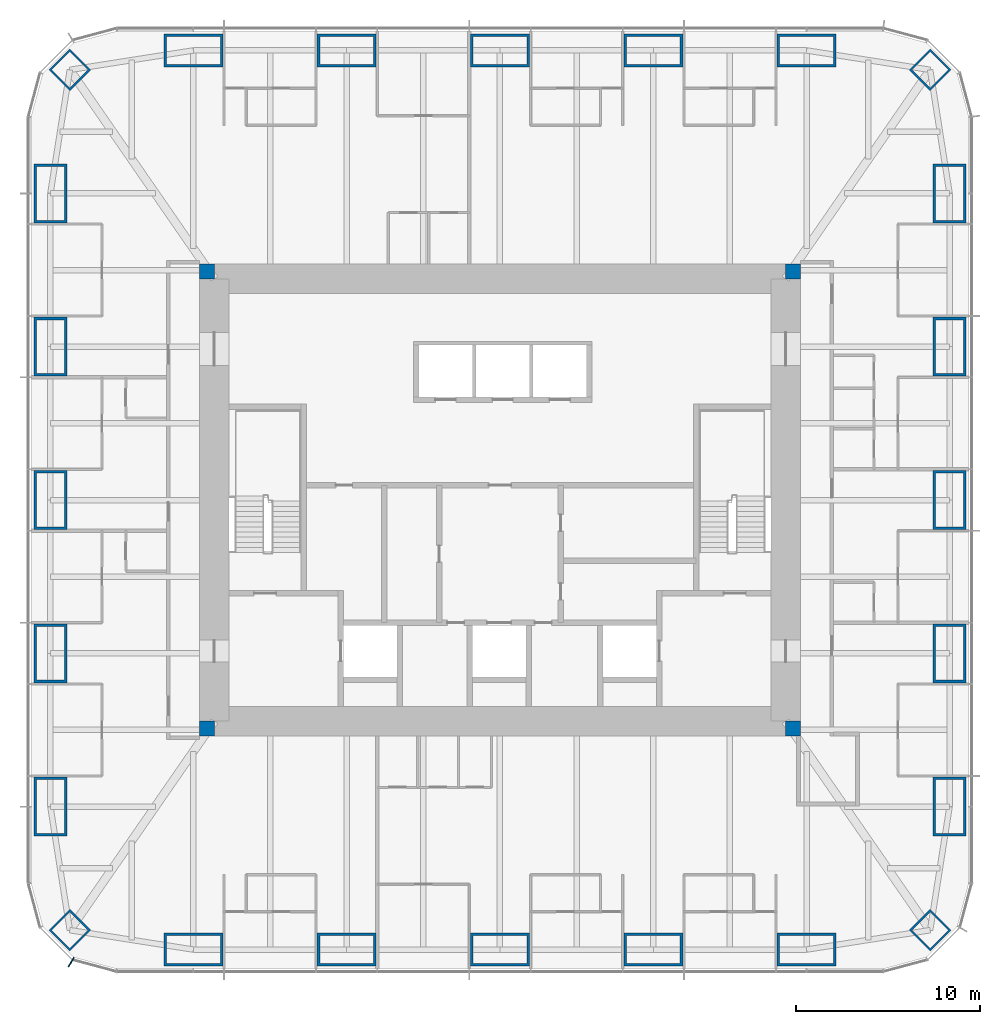
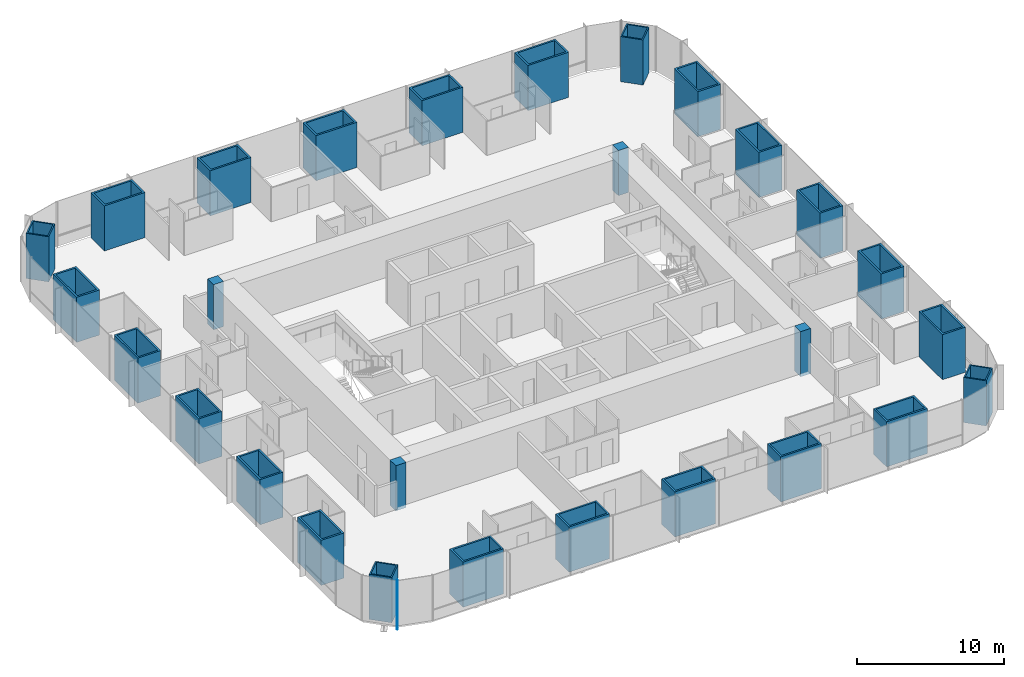
# One storey, part 1 of 13: 28 columns, 1 member, 1 element without a shape of its own.
"""IFC4 building model written with IfcOpenShell, lengths in metres."""

from ifc_helpers import new_model, si_unit, direction, frame, origin, origin_2d, place, context, subcontext, project, spatial, rectangle, hollow_rectangle, extrude, material, material_profile, profile_set, type_object, element, aggregate, save


model = new_model("IFC4")

# Units and contexts
model_context = context("Model", 3, precision=1e-05, world=origin(), true_north=direction((0.0, 1.0)))
body_context = subcontext(model_context, "Body", "Model", "MODEL_VIEW")
ifc_project = project(units=[si_unit("LENGTHUNIT", "METRE"), si_unit("AREAUNIT", "SQUARE_METRE"), si_unit("VOLUMEUNIT", "CUBIC_METRE"), si_unit("PLANEANGLEUNIT", "RADIAN"), si_unit("MASSUNIT", "GRAM", prefix="KILO")], contexts=[model_context])

# Site, building, storey
site_placement = place(None, origin())
site = spatial("IfcSite", under=ifc_project, at=site_placement, CompositionType="ELEMENT")
building_placement = place(site_placement, origin())
building = spatial("IfcBuilding", under=site, at=building_placement, Name="Khuree Lantern Residences", CompositionType="ELEMENT")
storey_placement = place(building_placement, frame((0.0, 0.0, 267.0)))
storey = spatial("IfcBuildingStorey", under=building, at=storey_placement, Name="L67", CompositionType="ELEMENT", Elevation=267.0)

# Columns
ifc_material_1 = material(Name="Steel S355 CFT welded box", Category="steel")
ifc_material_profile_1 = material_profile(ifc_material_1, hollow_rectangle(XDim=1.60009765625, YDim=1.60009765625, WallThickness=0.10009765625, at=origin_2d()), Name="WELDED BOX 1600X1600X100")
ifc_profile_set_1 = profile_set([ifc_material_profile_1], Name="Steel S355 CFT welded box")
column_type_1 = type_object("IfcColumnType", Name="CC1600 PERIMETER CORNER MEGA COLUMN WELDED BOX 1600X1600X100", PredefinedType="COLUMN", material=ifc_profile_set_1)
for number, where, z_axis, x_axis, name in (
    (1, (23.345703125, 23.345703125, 0.0), (0.0, 0.0, 1.0), (0.707106781187, -0.707106781187, 0.0), "Perimeter column NE"),
    (2, (23.345703125, -23.345703125, 0.0), (0.0, 0.0, 1.0), (0.707106781187, 0.707106781187, 0.0), "Perimeter column SE"),
    (3, (-23.345703125, -23.345703125, 0.0), (0.0, 0.0, 1.0), (0.707106781187, -0.707106781187, 0.0), "Perimeter column SW"),
    (4, (-23.345703125, 23.345703125, 0.0), (0.0, 0.0, 1.0), (0.707106781187, 0.707106781187, 0.0), "Perimeter column NW"),
):
    element("IfcColumn", number, at=place(storey_placement, frame(where, z_axis=z_axis, x_axis=x_axis)), inside=storey, type_object=column_type_1, Name=name, PredefinedType="COLUMN", context=body_context, shape_type="SweptSolid", body=[
        extrude(hollow_rectangle(XDim=1.60009765625, YDim=1.60009765625, WallThickness=0.10009765625, at=origin_2d()), origin(), (0.0, 0.0, 1.0), 3.75),
    ])
ifc_material_2 = material(Name="Concrete C50/60", Category="concrete")
ifc_material_profile_2 = material_profile(ifc_material_2, rectangle(XDim=0.800048828125, YDim=0.800048828125, at=origin_2d()), Name="RC 800X800")
ifc_profile_set_2 = profile_set([ifc_material_profile_2], Name="Concrete C50/60")
column_type_2 = type_object("IfcColumnType", Name="CP800-C50 CORE CORNER PIER C50 RC 800X800", PredefinedType="COLUMN", material=ifc_profile_set_2)
for number, where, z_axis, x_axis, name in (
    (5, (15.89990234375, 12.39990234375, -0.25), (0.0, 0.0, 1.0), (1.0, 0.0, 0.0), "Core corner pier NE"),
    (6, (-15.89990234375, 12.39990234375, -0.25), (0.0, 0.0, 1.0), (1.0, 0.0, 0.0), "Core corner pier NW"),
    (7, (-15.89990234375, -12.39990234375, -0.25), (0.0, 0.0, 1.0), (1.0, 0.0, 0.0), "Core corner pier SW"),
    (8, (15.89990234375, -12.39990234375, -0.25), (0.0, 0.0, 1.0), (1.0, 0.0, 0.0), "Core corner pier SE"),
):
    element("IfcColumn", number, at=place(storey_placement, frame(where, z_axis=z_axis, x_axis=x_axis)), inside=storey, type_object=column_type_2, Name=name, PredefinedType="COLUMN", context=body_context, shape_type="SweptSolid", body=[
        extrude(rectangle(XDim=0.800048828125, YDim=0.800048828125, at=origin_2d()), origin(), (0.0, 0.0, 1.0), 3.75),
    ])
ifc_material_profile_3 = material_profile(ifc_material_1, hollow_rectangle(XDim=3.199951171875, YDim=1.800048828125, WallThickness=0.139892578125, at=origin_2d()), Name="WELDED BOX 3200X1800X140")
ifc_profile_set_3 = profile_set([ifc_material_profile_3], Name="Steel S355 CFT welded box")
column_type_3 = type_object("IfcColumnType", Name="SC3 PERIMETER MEGA COLUMN WELDED BOX 3200X1800X140", PredefinedType="COLUMN", material=ifc_profile_set_3)
for number, where, z_axis, x_axis, name in (
    (9, (-16.639892578125, 24.39990234375, 0.0), (0.0, 0.0, 1.0), (1.0, 0.0, 0.0), "Perimeter column N1"),
    (10, (-8.320068359375, 24.39990234375, 0.0), (0.0, 0.0, 1.0), (1.0, 0.0, 0.0), "Perimeter column N2"),
    (11, (0.0, 24.39990234375, 0.0), (0.0, 0.0, 1.0), (1.0, 0.0, 0.0), "Perimeter column N3"),
    (12, (8.320068359375, 24.39990234375, 0.0), (0.0, 0.0, 1.0), (1.0, 0.0, 0.0), "Perimeter column N4"),
    (13, (16.639892578125, 24.39990234375, 0.0), (0.0, 0.0, 1.0), (1.0, 0.0, 0.0), "Perimeter column N5"),
    (14, (24.39990234375, 16.639892578125, 0.0), (0.0, 0.0, 1.0), (0.0, 1.0, 0.0), "Perimeter column E1"),
    (15, (24.39990234375, 8.320068359375, 0.0), (0.0, 0.0, 1.0), (0.0, 1.0, 0.0), "Perimeter column E2"),
    (16, (24.39990234375, 0.0, 0.0), (0.0, 0.0, 1.0), (0.0, 1.0, 0.0), "Perimeter column E3"),
    (17, (24.39990234375, -8.320068359375, 0.0), (0.0, 0.0, 1.0), (0.0, 1.0, 0.0), "Perimeter column E4"),
    (18, (24.39990234375, -16.639892578125, 0.0), (0.0, 0.0, 1.0), (0.0, 1.0, 0.0), "Perimeter column E5"),
    (19, (16.639892578125, -24.39990234375, 0.0), (0.0, 0.0, 1.0), (1.0, 0.0, 0.0), "Perimeter column S1"),
    (20, (8.320068359375, -24.39990234375, 0.0), (0.0, 0.0, 1.0), (1.0, 0.0, 0.0), "Perimeter column S2"),
    (21, (0.0, -24.39990234375, 0.0), (0.0, 0.0, 1.0), (1.0, 0.0, 0.0), "Perimeter column S3"),
    (22, (-8.320068359375, -24.39990234375, 0.0), (0.0, 0.0, 1.0), (1.0, 0.0, 0.0), "Perimeter column S4"),
    (23, (-16.639892578125, -24.39990234375, 0.0), (0.0, 0.0, 1.0), (1.0, 0.0, 0.0), "Perimeter column S5"),
    (24, (-24.39990234375, -16.639892578125, 0.0), (0.0, 0.0, 1.0), (0.0, 1.0, 0.0), "Perimeter column W1"),
    (25, (-24.39990234375, -8.320068359375, 0.0), (0.0, 0.0, 1.0), (0.0, 1.0, 0.0), "Perimeter column W2"),
    (26, (-24.39990234375, 0.0, 0.0), (0.0, 0.0, 1.0), (0.0, 1.0, 0.0), "Perimeter column W3"),
    (27, (-24.39990234375, 8.320068359375, 0.0), (0.0, 0.0, 1.0), (0.0, 1.0, 0.0), "Perimeter column W4"),
    (28, (-24.39990234375, 16.639892578125, 0.0), (0.0, 0.0, 1.0), (0.0, 1.0, 0.0), "Perimeter column W5"),
):
    element("IfcColumn", number, at=place(storey_placement, frame(where, z_axis=z_axis, x_axis=x_axis)), inside=storey, type_object=column_type_3, Name=name, PredefinedType="COLUMN", context=body_context, shape_type="SweptSolid", body=[
        extrude(hollow_rectangle(XDim=3.199951171875, YDim=1.800048828125, WallThickness=0.139892578125, at=origin_2d()), origin(), (0.0, 0.0, 1.0), 3.75),
    ])

# Curtain wall, member
ifc_material_3 = material(Name="Bronze anodised aluminium", Category="aluminium")
curtain_wall_type = type_object("IfcCurtainWallType", Name="CW-T2 TOWER CORNER CURTAIN WALL", PredefinedType="USERDEFINED", material=ifc_material_3)
curtain_wall_placement = place(storey_placement, origin())
curtain_wall = element("IfcCurtainWall", 29, at=curtain_wall_placement, inside=storey, type_object=curtain_wall_type, Name="L67 SOUTH-WEST CORNER CURTAIN WALL", ObjectType="Faceted corner curtain wall", PredefinedType="USERDEFINED")
ifc_material_profile_4 = material_profile(ifc_material_3, rectangle(XDim=0.06494140625, YDim=0.60009765625, at=origin_2d()), Name="F1 65X600")
ifc_profile_set_4 = profile_set([ifc_material_profile_4], Name="Bronze anodised aluminium")
member_type = type_object("IfcMemberType", Name="F1 BRONZE FIN MULLION TOWER 65X600", PredefinedType="MULLION", material=ifc_profile_set_4)
member_placement = place(storey_placement, frame((-23.27490234375, -25.0869140625, 0.0), z_axis=(0.0, 0.0, 1.0), x_axis=(0.866025409797, -0.499999989586, 0.0)))
member = element("IfcMember", 30, at=member_placement, type_object=member_type, Name="L67 SOUTH-WEST CORNER FIN MULLION 45", PredefinedType="MULLION", context=body_context, shape_type="SweptSolid", body=[
    extrude(rectangle(XDim=0.06494140625, YDim=0.60009765625, at=origin_2d()), origin(), (0.0, 0.0, 1.0), 3.75),
])
aggregate(curtain_wall, [member])

save(model, "model.ifc")
